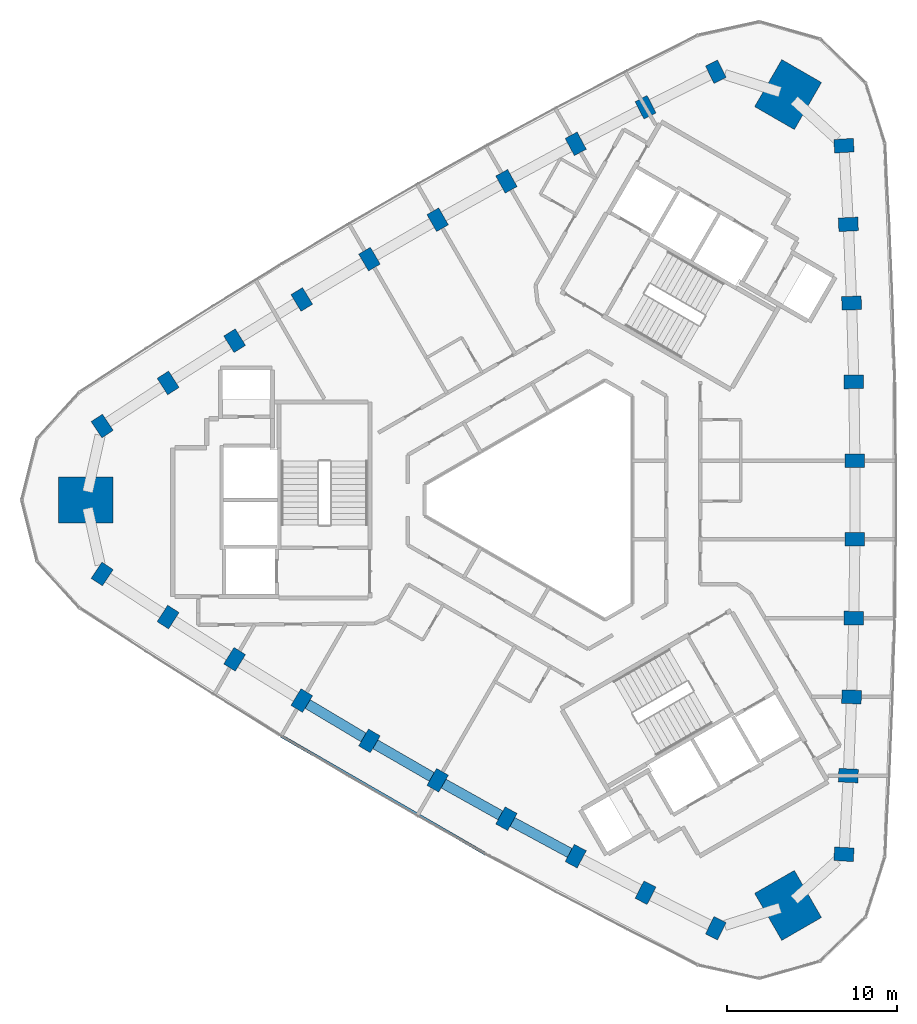
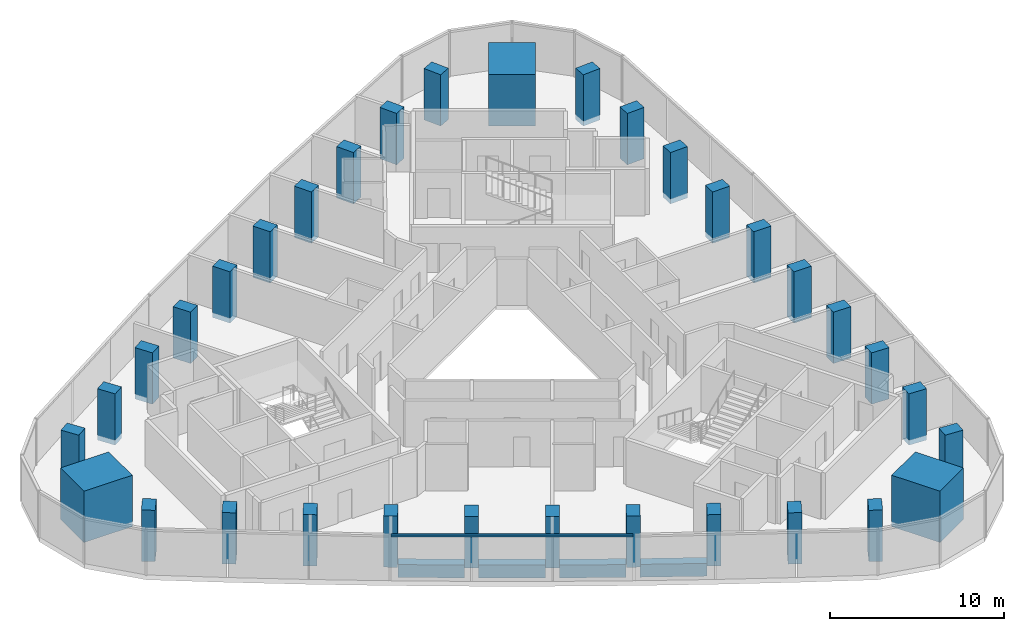
# One storey, part 1 of 12: 33 columns, 4 beams, 1 member, 1 element without a shape of its own.
"""IFC4 building model written with IfcOpenShell, lengths in metres."""

from ifc_helpers import new_model, si_unit, direction, frame, origin, origin_2d, place, context, subcontext, project, spatial, rectangle, extrude, material, material_profile, profile_set, type_object, element, aggregate, save


model = new_model("IFC4")

# Units and contexts
model_context = context("Model", 3, precision=1e-05, world=origin(), true_north=direction((0.0, 1.0)))
body_context = subcontext(model_context, "Body", "Model", "MODEL_VIEW")
ifc_project = project(units=[si_unit("LENGTHUNIT", "METRE"), si_unit("AREAUNIT", "SQUARE_METRE"), si_unit("VOLUMEUNIT", "CUBIC_METRE"), si_unit("PLANEANGLEUNIT", "RADIAN"), si_unit("MASSUNIT", "GRAM", prefix="KILO")], contexts=[model_context])

# Site, building, storey
site_placement = place(None, origin())
site = spatial("IfcSite", under=ifc_project, at=site_placement, CompositionType="ELEMENT")
building_placement = place(site_placement, origin())
building = spatial("IfcBuilding", under=site, at=building_placement, Name="Tamra Quay Hotel Tower", CompositionType="ELEMENT")
storey_placement = place(building_placement, frame((0.0, 0.0, 200.800048828125)))
storey = spatial("IfcBuildingStorey", under=building, at=storey_placement, Name="L50", CompositionType="ELEMENT", Elevation=200.800048828125)

# Columns
ifc_material_1 = material(Name="Concrete M70", Category="concrete")
ifc_material_profile_1 = material_profile(ifc_material_1, rectangle(XDim=1.14990234375, YDim=0.800048828125, at=origin_2d()), Name="COLUMN RC 800x1150 Z4")
ifc_profile_set_1 = profile_set([ifc_material_profile_1], Name="Concrete M70")
column_type_1 = type_object("IfcColumnType", Name="COLUMN RC 800x1150 Z4", PredefinedType="COLUMN", material=ifc_profile_set_1)
for number, where, z_axis, x_axis, name in (
    (1, (17.069580078125, -20.856201171875, -0.35009765625), (0.0, 0.0, 1.0), (-0.998081035395, 0.061921295089, 0.0), "COL-C4E01-L50"),
    (2, (17.326416015625, -16.2255859375, -0.35009765625), (0.0, 0.0, 1.0), (-0.998830734492, 0.048344222345, 0.0), "COL-C4E02-L50"),
    (3, (17.519287109375, -11.592041015625, -0.35009765625), (0.0, 0.0, 1.0), (-0.999411600314, 0.034299462929, 0.0), "COL-C4E03-L50"),
    (4, (17.648193359375, -6.955810546875, -0.35009765625), (0.0, 0.0, 1.0), (-0.99977704996, 0.021115169271, 0.0), "COL-C4E04-L50"),
    (5, (17.71240234375, -2.318603515625, -0.35009765625), (0.0, 0.0, 1.0), (-0.999975214668, 0.007040600034, 0.0), "COL-C4E05-L50"),
    (6, (17.71240234375, 2.318603515625, -0.35009765625), (0.0, 0.0, 1.0), (0.999975214668, 0.007040600034, 0.0), "COL-C4E06-L50"),
    (7, (17.648193359375, 6.955810546875, -0.35009765625), (0.0, 0.0, 1.0), (0.99977704996, 0.021115169271, 0.0), "COL-C4E07-L50"),
    (8, (17.519287109375, 11.592041015625, -0.35009765625), (0.0, 0.0, 1.0), (0.999411600314, 0.034299462929, 0.0), "COL-C4E08-L50"),
    (9, (17.326416015625, 16.2255859375, -0.35009765625), (0.0, 0.0, 1.0), (0.998830734492, 0.048344222345, 0.0), "COL-C4E09-L50"),
    (10, (17.069580078125, 20.856201171875, -0.35009765625), (0.0, 0.0, 1.0), (0.998081035395, 0.061921295089, 0.0), "COL-C4E10-L50"),
    (11, (9.527099609375, 25.210693359375, -0.35009765625), (0.0, 0.0, 1.0), (-0.445415103115, 0.895324179232, 0.0), "COL-C4NW01-L50"),
    (12, (5.388427734375, 23.117919921875, -0.35009765625), (0.0, 0.0, 1.0), (-0.457548042569, 0.889184901323, 0.0), "COL-C4NW02-L50"),
    (13, (1.279296875, 20.96826171875, -0.35009765625), (0.0, 0.0, 1.0), (-0.470001593924, 0.882665566174, 0.0), "COL-C4NW03-L50"),
    (14, (-2.80029296875, 18.76171875, -0.35009765625), (0.0, 0.0, 1.0), (-0.481602251986, 0.876389908021, 0.0), "COL-C4NW04-L50"),
    (15, (-6.84814453125, 16.498779296875, -0.35009765625), (0.0, 0.0, 1.0), (-0.493890268847, 0.869524239075, 0.0), "COL-C4NW05-L50"),
    (16, (-10.8642578125, 14.18017578125, -0.35009765625), (0.0, 0.0, 1.0), (-0.506084945822, 0.862483639041, 0.0), "COL-C4NW06-L50"),
    (17, (-14.847900390625, 11.805908203125, -0.35009765625), (0.0, 0.0, 1.0), (-0.518174797974, 0.855274738751, 0.0), "COL-C4NW07-L50"),
    (18, (-18.798583984375, 9.376220703125, -0.35009765625), (0.0, 0.0, 1.0), (-0.52941000639, 0.848366103245, 0.0), "COL-C4NW08-L50"),
    (19, (-22.71484375, 6.892333984375, -0.35009765625), (0.0, 0.0, 1.0), (-0.541282691923, 0.840840678978, 0.0), "COL-C4NW09-L50"),
    (20, (-26.5966796875, 4.3544921875, -0.35009765625), (0.0, 0.0, 1.0), (-0.55266593228, 0.833402884143, 0.0), "COL-C4NW10-L50"),
    (21, (-26.5966796875, -4.3544921875, -0.35009765625), (0.0, 0.0, 1.0), (0.55266593228, 0.833402884143, 0.0), "COL-C4SW01-L50"),
    (22, (-22.71484375, -6.892333984375, -0.35009765625), (0.0, 0.0, 1.0), (0.541282691923, 0.840840678978, 0.0), "COL-C4SW02-L50"),
    (23, (-18.798583984375, -9.376220703125, -0.35009765625), (0.0, 0.0, 1.0), (0.52941000639, 0.848366103245, 0.0), "COL-C4SW03-L50"),
    (24, (-14.847900390625, -11.805908203125, -0.35009765625), (0.0, 0.0, 1.0), (0.518174797974, 0.855274738751, 0.0), "COL-C4SW04-L50"),
    (25, (-10.8642578125, -14.18017578125, -0.35009765625), (0.0, 0.0, 1.0), (0.506084945822, 0.862483639041, 0.0), "COL-C4SW05-L50"),
    (26, (-6.84814453125, -16.498779296875, -0.35009765625), (0.0, 0.0, 1.0), (0.493890268847, 0.869524239075, 0.0), "COL-C4SW06-L50"),
    (27, (-2.80029296875, -18.76171875, -0.35009765625), (0.0, 0.0, 1.0), (0.481602251986, 0.876389908021, 0.0), "COL-C4SW07-L50"),
    (28, (1.279296875, -20.96826171875, -0.35009765625), (0.0, 0.0, 1.0), (0.470001593924, 0.882665566174, 0.0), "COL-C4SW08-L50"),
    (29, (5.388427734375, -23.117919921875, -0.35009765625), (0.0, 0.0, 1.0), (0.457548042569, 0.889184901323, 0.0), "COL-C4SW09-L50"),
    (30, (9.527099609375, -25.210693359375, -0.35009765625), (0.0, 0.0, 1.0), (0.445415103115, 0.895324179232, 0.0), "COL-C4SW10-L50"),
):
    element("IfcColumn", number, at=place(storey_placement, frame(where, z_axis=z_axis, x_axis=x_axis)), inside=storey, type_object=column_type_1, Name=name, PredefinedType="COLUMN", context=body_context, shape_type="SweptSolid", body=[
        extrude(rectangle(XDim=1.14990234375, YDim=0.800048828125, at=origin_2d()), origin(), (0.0, 0.0, 1.0), 3.60009765625),
    ])
ifc_material_profile_2 = material_profile(ifc_material_1, rectangle(XDim=3.199951171875, YDim=2.699951171875, at=origin_2d()), Name="MEGA COLUMN RC 2700x3200 Z4")
ifc_profile_set_2 = profile_set([ifc_material_profile_2], Name="Concrete M70")
column_type_2 = type_object("IfcColumnType", Name="MEGA COLUMN RC 2700x3200 Z4", PredefinedType="COLUMN", material=ifc_profile_set_2)
for number, where, z_axis, x_axis, name in (
    (31, (13.779541015625, 23.86669921875, -0.35009765625), (0.0, 0.0, 1.0), (0.5, 0.866025403784, 0.0), "COL-M4NE-L50"),
    (32, (-27.55908203125, 0.0, -0.35009765625), (0.0, 0.0, 1.0), (1.0, 0.0, 0.0), "COL-M4W-L50"),
    (33, (13.779541015625, -23.86669921875, -0.35009765625), (0.0, 0.0, 1.0), (-0.5, 0.866025403784, 0.0), "COL-M4SE-L50"),
):
    element("IfcColumn", number, at=place(storey_placement, frame(where, z_axis=z_axis, x_axis=x_axis)), inside=storey, type_object=column_type_2, Name=name, PredefinedType="COLUMN", context=body_context, shape_type="SweptSolid", body=[
        extrude(rectangle(XDim=3.199951171875, YDim=2.699951171875, at=origin_2d()), origin(), (0.0, 0.0, 1.0), 3.60009765625),
    ])

# Beams
ifc_material_2 = material(Name="Concrete M60", Category="concrete")
ifc_material_profile_3 = material_profile(ifc_material_2, rectangle(XDim=0.60009765625, YDim=0.89990234375, at=origin_2d()), Name="SPANDREL BEAM RC 600x900")
ifc_profile_set_3 = profile_set([ifc_material_profile_3], Name="Concrete M60")
beam_type = type_object("IfcBeamType", Name="SPANDREL BEAM RC 600x900", PredefinedType="SPANDREL", material=ifc_profile_set_3)
beam_1_placement = place(storey_placement, frame((-14.50439453125, -12.010498046875, -0.800048828125), z_axis=(0.858982487636, -0.512004966708, 0.0), x_axis=(0.512004966708, 0.858982487636, 0.0)))
element("IfcBeam", 34, at=beam_1_placement, inside=storey, type_object=beam_type, Name="BM-SP4-025-L50", PredefinedType="SPANDREL", context=body_context, shape_type="SweptSolid", body=[
    extrude(rectangle(XDim=0.60009765625, YDim=0.89990234375, at=origin_2d()), origin(), (0.0, 0.0, 1.0), 3.837646484375),
])
for number, where, z_axis, x_axis, name in (
    (35, (-10.517822265625, -14.380126953125, -0.800048828125), (0.866022424722, -0.500005159851, 0.0), (0.500005159851, 0.866022424722, 0.0), "BM-SP4-026-L50"),
    (36, (-6.4990234375, -16.694091796875, -0.800048828125), (0.872890885292, -0.487915466422, 0.0), (0.487915466422, 0.872890885292, 0.0), "BM-SP4-027-L50"),
):
    element("IfcBeam", number, at=place(storey_placement, frame(where, z_axis=z_axis, x_axis=x_axis)), inside=storey, type_object=beam_type, Name=name, PredefinedType="SPANDREL", context=body_context, shape_type="SweptSolid", body=[
        extrude(rectangle(XDim=0.60009765625, YDim=0.89990234375, at=origin_2d()), origin(), (0.0, 0.0, 1.0), 3.83740234375),
    ])
beam_2_placement = place(storey_placement, frame((-2.448486328125, -18.951904296875, -0.800048828125), z_axis=(0.879589264525, -0.475733881211, 0.0), x_axis=(0.475733881211, 0.879589264525, 0.0)))
element("IfcBeam", 37, at=beam_2_placement, inside=storey, type_object=beam_type, Name="BM-SP4-028-L50", PredefinedType="SPANDREL", context=body_context, shape_type="SweptSolid", body=[
    extrude(rectangle(XDim=0.60009765625, YDim=0.89990234375, at=origin_2d()), origin(), (0.0, 0.0, 1.0), 3.838134765625),
])

# Curtain wall, member
ifc_material_3 = material(Name="Aluminium 6063 anodised dark grey", Category="aluminium")
curtain_wall_type = type_object("IfcCurtainWallType", Name="CW3 CURTAIN WALL", PredefinedType="NOTDEFINED", material=ifc_material_3)
curtain_wall_placement = place(storey_placement, origin())
curtain_wall = element("IfcCurtainWall", 38, at=curtain_wall_placement, inside=storey, type_object=curtain_wall_type, Name="CW3 south-west face L50", PredefinedType="NOTDEFINED")
ifc_material_profile_4 = material_profile(ifc_material_3, rectangle(XDim=0.179931640625, YDim=0.139892578125, at=origin_2d()), Name="TRANSOM 180X140")
ifc_profile_set_4 = profile_set([ifc_material_profile_4], Name="Aluminium 6063 anodised dark grey")
member_type = type_object("IfcMemberType", Name="TRANSOM CW3 Z4", PredefinedType="USERDEFINED", material=ifc_profile_set_4)
member_placement = place(storey_placement, frame((-16.05419921875, -13.893310546875, 3.179931640625), z_axis=(0.866021948021, -0.50000598551, 0.0), x_axis=(0.50000598551, 0.866021948021, 0.0)))
member = element("IfcMember", 39, at=member_placement, type_object=member_type, Name="CW3 transom L50.SW.4", ObjectType="TRANSOM", PredefinedType="USERDEFINED", context=body_context, shape_type="SweptSolid", body=[
    extrude(rectangle(XDim=0.179931640625, YDim=0.139892578125, at=origin_2d()), origin(), (0.0, 0.0, 1.0), 13.913330078125),
])
aggregate(curtain_wall, [member])

save(model, "model.ifc")
